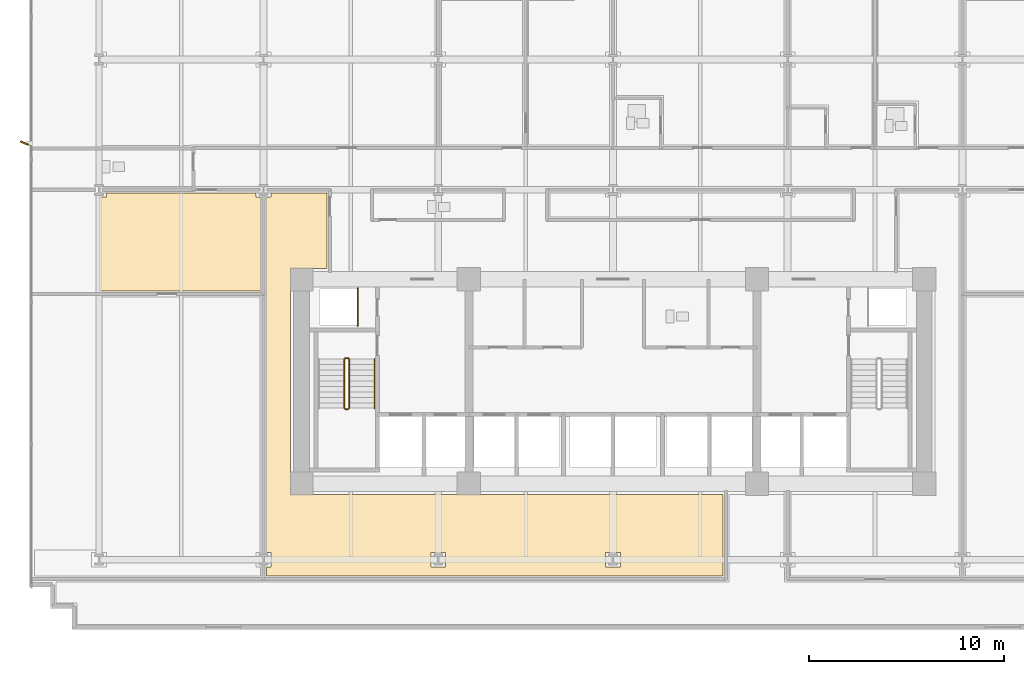
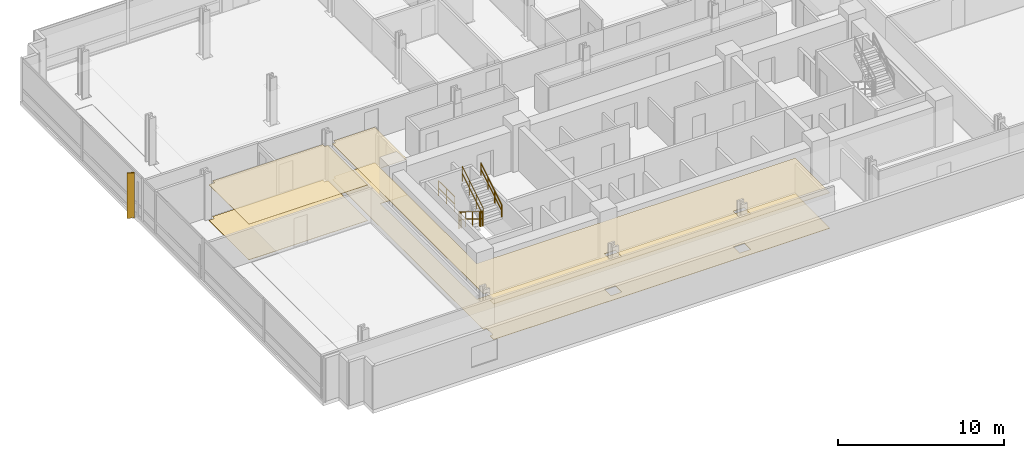
# One storey, part 13 of 17: 6 railings, 4 coverings, 1 shading device.
"""IFC4 building model written with IfcOpenShell, lengths in metres."""

from ifc_helpers import new_model, si_unit, direction, frame, origin, origin_2d, place, context, subcontext, project, spatial, polyline, rectangle, circle, outline, extrude, material, layer, layer_set, type_object, element, save


model = new_model("IFC4")

# Units and contexts
model_context = context("Model", 3, precision=1e-05, world=origin(), true_north=direction((0.0, 1.0)))
body_context = subcontext(model_context, "Body", "Model", "MODEL_VIEW")
ifc_project = project(units=[si_unit("LENGTHUNIT", "METRE"), si_unit("AREAUNIT", "SQUARE_METRE"), si_unit("VOLUMEUNIT", "CUBIC_METRE"), si_unit("PLANEANGLEUNIT", "RADIAN"), si_unit("MASSUNIT", "GRAM", prefix="KILO")], contexts=[model_context])

# Site, building, storey
site_placement = place(None, origin())
site = spatial("IfcSite", under=ifc_project, at=site_placement, CompositionType="ELEMENT")
building_placement = place(site_placement, origin())
building = spatial("IfcBuilding", under=site, at=building_placement, Name="Solmavex Isthmus Hotel", CompositionType="ELEMENT")
storey_placement = place(building_placement, frame((0.0, 0.0, 47.10009765625)))
storey = spatial("IfcBuildingStorey", under=building, at=storey_placement, Name="L12", CompositionType="ELEMENT", Elevation=47.10009765625)

# Coverings
ifc_material_1 = material(Name="Gypsum plasterboard lining", Category="gypsum")
ifc_layer_1 = layer(ifc_material_1, 0.030029296875)
ifc_layer_set_1 = layer_set([ifc_layer_1], Name="Gypsum plasterboard lining")
covering_type_1 = type_object("IfcCoveringType", Name="COV-CEIL-GYP", PredefinedType="CEILING", material=ifc_layer_set_1)
covering_1_placement = place(storey_placement, frame((0.0, 0.0, 2.619873046875)))
element("IfcCovering", 1, at=covering_1_placement, inside=storey, type_object=covering_type_1, Name="Suspended Acoustic Ceiling L12-FL11", PredefinedType="CEILING", context=body_context, shape_type="SweptSolid", body=[
    extrude(outline(polyline([(-26.02001953125, 1.945068359375), (-26.02001953125, 1.719970703125), (-26.39990234375, 1.719970703125), (-26.39990234375, -3.094970703125), (-18.10693359375, -3.094970703125), (-18.10693359375, 1.719970703125), (-18.33203125, 1.719970703125), (-18.33203125, 1.945068359375), (-26.02001953125, 1.945068359375)])), origin(), (0.0, 0.0, 1.0), 0.030029296875),
])
covering_2_placement = place(storey_placement, frame((0.0, 0.0, 2.619873046875)))
element("IfcCovering", 2, at=covering_2_placement, inside=storey, type_object=covering_type_1, Name="Suspended Acoustic Ceiling L12-FL14", PredefinedType="CEILING", context=body_context, shape_type="SweptSolid", body=[
    extrude(outline(polyline([(-17.797119140625, -16.52001953125), (-17.572021484375, -16.52001953125), (-17.572021484375, -17.280029296875), (-17.797119140625, -17.280029296875), (-17.797119140625, -17.7451171875), (5.64501953125, -17.7451171875), (5.64501953125, -13.554931640625), (-16.554931640625, -13.554931640625), (-16.554931640625, -1.945068359375), (-14.698974609375, -1.945068359375), (-14.698974609375, 1.945068359375), (-17.572021484375, 1.945068359375), (-17.572021484375, 1.719970703125), (-17.797119140625, 1.719970703125), (-17.797119140625, -16.52001953125)]), holes=[polyline([(-0.3798828125, -17.280029296875), (-0.3798828125, -16.52001953125), (0.3798828125, -16.52001953125), (0.3798828125, -17.280029296875), (-0.3798828125, -17.280029296875)]), polyline([(-9.35595703125, -17.280029296875), (-9.35595703125, -16.52001953125), (-8.595947265625, -16.52001953125), (-8.595947265625, -17.280029296875), (-9.35595703125, -17.280029296875)])]), origin(), (0.0, 0.0, 1.0), 0.030029296875),
])
ifc_material_2 = material(Name="Travertine natural stone", Category="masonry")
ifc_layer_2 = layer(ifc_material_2, 0.02490234375)
ifc_layer_set_2 = layer_set([ifc_layer_2], Name="Travertine natural stone")
covering_type_2 = type_object("IfcCoveringType", Name="COV-FLOR-STN", PredefinedType="FLOORING", material=ifc_layer_set_2)
covering_3_placement = place(storey_placement, origin())
element("IfcCovering", 3, at=covering_3_placement, inside=storey, type_object=covering_type_2, Name="Stone and Timber Floor Finish L12-FL11", PredefinedType="FLOORING", context=body_context, shape_type="SweptSolid", body=[
    extrude(outline(polyline([(-26.02001953125, 1.945068359375), (-26.02001953125, 1.719970703125), (-26.39990234375, 1.719970703125), (-26.39990234375, -3.094970703125), (-18.10693359375, -3.094970703125), (-18.10693359375, 1.719970703125), (-18.33203125, 1.719970703125), (-18.33203125, 1.945068359375), (-26.02001953125, 1.945068359375)])), origin(), (0.0, 0.0, 1.0), 0.02490234375),
])
covering_4_placement = place(storey_placement, origin())
element("IfcCovering", 4, at=covering_4_placement, inside=storey, type_object=covering_type_2, Name="Stone and Timber Floor Finish L12-FL14", PredefinedType="FLOORING", context=body_context, shape_type="SweptSolid", body=[
    extrude(outline(polyline([(-17.797119140625, -16.52001953125), (-17.572021484375, -16.52001953125), (-17.572021484375, -17.280029296875), (-17.797119140625, -17.280029296875), (-17.797119140625, -17.7451171875), (5.64501953125, -17.7451171875), (5.64501953125, -13.554931640625), (-16.554931640625, -13.554931640625), (-16.554931640625, -1.945068359375), (-14.698974609375, -1.945068359375), (-14.698974609375, 1.945068359375), (-17.572021484375, 1.945068359375), (-17.572021484375, 1.719970703125), (-17.797119140625, 1.719970703125), (-17.797119140625, -16.52001953125)]), holes=[polyline([(-0.3798828125, -17.280029296875), (-0.3798828125, -16.52001953125), (0.3798828125, -16.52001953125), (0.3798828125, -17.280029296875), (-0.3798828125, -17.280029296875)]), polyline([(-9.35595703125, -17.280029296875), (-9.35595703125, -16.52001953125), (-8.595947265625, -16.52001953125), (-8.595947265625, -17.280029296875), (-9.35595703125, -17.280029296875)])]), origin(), (0.0, 0.0, 1.0), 0.02490234375),
])

# Railings
ifc_material_3 = material(Name="Clear low-E laminated glass", Category="glass")
ifc_layer_3 = layer(ifc_material_3, 0.080078125)
ifc_layer_set_3 = layer_set([ifc_layer_3], Name="Clear low-E laminated glass")
railing_type_1 = type_object("IfcRailingType", Name="RAIL-ATRIUM-1120", PredefinedType="BALUSTRADE", material=ifc_layer_set_3)
railing_1_placement = place(storey_placement, frame((-13.10009765625, -4.89990234375, 0.0)))
element("IfcRailing", 5, at=railing_1_placement, inside=storey, type_object=railing_type_1, Name="Guardrail Balustrade L12-RSW-01", PredefinedType="BALUSTRADE", context=body_context, shape_type="SweptSolid", body=[
    extrude(circle(Radius=0.02392578125, at=origin_2d()), frame((0.0, 0.0, 1.1259765625), z_axis=(0.0, 1.0, 0.0), x_axis=(-1.0, 0.0, 0.0)), (0.0, 0.0, 1.0), 1.949951171875),
    extrude(circle(Radius=0.02392578125, at=origin_2d()), frame((0.0, 0.0, 0.574951171875), z_axis=(0.0, 1.0, 0.0), x_axis=(-1.0, 0.0, 0.0)), (0.0, 0.0, 1.0), 1.949951171875),
    extrude(circle(Radius=0.02099609375, at=origin_2d()), origin(), (0.0, 0.0, 1.0), 1.101806640625),
    extrude(circle(Radius=0.02099609375, at=origin_2d()), frame((0.0, 0.97509765625, 0.0)), (0.0, 0.0, 1.0), 1.101806640625),
    extrude(circle(Radius=0.02099609375, at=origin_2d()), frame((0.0, 1.949951171875, 0.0)), (0.0, 0.0, 1.0), 1.101806640625),
])
ifc_material_4 = material(Name="Stainless steel 316", Category="steel")
ifc_layer_4 = layer(ifc_material_4, 0.06005859375)
ifc_layer_set_4 = layer_set([ifc_layer_4], Name="Stainless steel 316")
railing_type_2 = type_object("IfcRailingType", Name="RAIL-STAIR-GD", PredefinedType="GUARDRAIL", material=ifc_layer_set_4)
railing_2_placement = place(storey_placement, frame((-13.800048828125, -6.60009765625, 0.17236328125)))
element("IfcRailing", 6, at=railing_2_placement, inside=storey, type_object=railing_type_2, Name="L12 ST-1 stair guard 1", PredefinedType="GUARDRAIL", context=body_context, shape_type="SweptSolid", body=[
    extrude(circle(Radius=0.02392578125, at=origin_2d()), frame((0.0, 0.0, 1.09619140625), z_axis=(0.0, -0.851400495292, 0.524516154772), x_axis=(1.0, 0.0, 0.0)), (0.0, 0.0, 1.0), 2.9599609375),
    extrude(circle(Radius=0.02392578125, at=origin_2d()), frame((0.0, 0.0, 0.56005859375), z_axis=(0.0, -0.851400495292, 0.524516154772), x_axis=(1.0, 0.0, 0.0)), (0.0, 0.0, 1.0), 2.9599609375),
    extrude(circle(Radius=0.02099609375, at=origin_2d()), origin(), (0.0, 0.0, 1.0), 1.072021484375),
    extrude(circle(Radius=0.02099609375, at=origin_2d()), frame((0.0, -0.840087890625, 0.517578125)), (0.0, 0.0, 1.0), 1.072021484375),
    extrude(circle(Radius=0.02099609375, at=origin_2d()), frame((0.0, -1.679931640625, 1.034912109375)), (0.0, 0.0, 1.0), 1.072021484375),
    extrude(circle(Radius=0.02099609375, at=origin_2d()), frame((0.0, -2.52001953125, 1.552490234375)), (0.0, 0.0, 1.0), 1.072021484375),
])
railing_3_placement = place(storey_placement, frame((-13.75, -9.169921875, 1.724853515625)))
element("IfcRailing", 7, at=railing_3_placement, inside=storey, type_object=railing_type_2, Name="L12 ST-1 stair guard 2", PredefinedType="GUARDRAIL", context=body_context, shape_type="SweptSolid", body=[
    extrude(circle(Radius=0.02392578125, at=origin_2d()), frame((0.0, 0.0, 1.09619140625), z_axis=(1.0, 0.0, 0.0), x_axis=(0.0, 1.0, 0.0)), (0.0, 0.0, 1.0), 0.14990234375),
    extrude(circle(Radius=0.02392578125, at=origin_2d()), frame((0.0, 0.0, 0.56005859375), z_axis=(1.0, 0.0, 0.0), x_axis=(0.0, 1.0, 0.0)), (0.0, 0.0, 1.0), 0.14990234375),
    extrude(circle(Radius=0.02099609375, at=origin_2d()), origin(), (0.0, 0.0, 1.0), 1.072021484375),
    extrude(circle(Radius=0.02099609375, at=origin_2d()), frame((0.14990234375, 0.0, 0.0)), (0.0, 0.0, 1.0), 1.072021484375),
])
railing_4_placement = place(storey_placement, frame((-13.550048828125, -9.1201171875, 1.8974609375)))
element("IfcRailing", 8, at=railing_4_placement, inside=storey, type_object=railing_type_2, Name="L12 ST-1 stair guard 3", PredefinedType="GUARDRAIL", context=body_context, shape_type="SweptSolid", body=[
    extrude(circle(Radius=0.02392578125, at=origin_2d()), frame((0.0, 0.0, 1.09619140625), z_axis=(0.0, 0.851400495292, 0.524516154772), x_axis=(-1.0, 0.0, 0.0)), (0.0, 0.0, 1.0), 2.9599609375),
    extrude(circle(Radius=0.02392578125, at=origin_2d()), frame((0.0, 0.0, 0.56005859375), z_axis=(0.0, 0.851400495292, 0.524516154772), x_axis=(-1.0, 0.0, 0.0)), (0.0, 0.0, 1.0), 2.9599609375),
    extrude(circle(Radius=0.02099609375, at=origin_2d()), origin(), (0.0, 0.0, 1.0), 1.072021484375),
    extrude(circle(Radius=0.02099609375, at=origin_2d()), frame((0.0, 0.840087890625, 0.517578125)), (0.0, 0.0, 1.0), 1.072021484375),
    extrude(circle(Radius=0.02099609375, at=origin_2d()), frame((0.0, 1.679931640625, 1.034912109375)), (0.0, 0.0, 1.0), 1.072021484375),
    extrude(circle(Radius=0.02099609375, at=origin_2d()), frame((0.0, 2.52001953125, 1.552490234375)), (0.0, 0.0, 1.0), 1.072021484375),
])
railing_5_placement = place(storey_placement, frame((-13.75, -6.550048828125, 0.0)))
element("IfcRailing", 9, at=railing_5_placement, inside=storey, type_object=railing_type_2, Name="L12 ST-1 stair guard 4", PredefinedType="GUARDRAIL", context=body_context, shape_type="SweptSolid", body=[
    extrude(circle(Radius=0.02392578125, at=origin_2d()), frame((0.0, 0.0, 1.09619140625), z_axis=(1.0, 0.0, 0.0), x_axis=(0.0, 1.0, 0.0)), (0.0, 0.0, 1.0), 0.14990234375),
    extrude(circle(Radius=0.02392578125, at=origin_2d()), frame((0.0, 0.0, 0.56005859375), z_axis=(1.0, 0.0, 0.0), x_axis=(0.0, 1.0, 0.0)), (0.0, 0.0, 1.0), 0.14990234375),
    extrude(circle(Radius=0.02099609375, at=origin_2d()), origin(), (0.0, 0.0, 1.0), 1.072021484375),
    extrude(circle(Radius=0.02099609375, at=origin_2d()), frame((0.14990234375, 0.0, 0.0)), (0.0, 0.0, 1.0), 1.072021484375),
])
ifc_layer_5 = layer(ifc_material_4, 0.050048828125)
ifc_layer_set_5 = layer_set([ifc_layer_5], Name="Stainless steel 316")
railing_type_3 = type_object("IfcRailingType", Name="RAIL-STAIR-HR", PredefinedType="HANDRAIL", material=ifc_layer_set_5)
railing_6_placement = place(storey_placement, frame((-12.25, -9.1201171875, 1.8974609375)))
element("IfcRailing", 10, at=railing_6_placement, inside=storey, type_object=railing_type_3, Name="L12 ST-1 stair handrail 2", PredefinedType="HANDRAIL", context=body_context, shape_type="SweptSolid", body=[
    extrude(circle(Radius=0.02392578125, at=origin_2d()), frame((0.0, 0.0, 0.8759765625), z_axis=(0.0, 0.851400495292, 0.524516154772), x_axis=(-1.0, 0.0, 0.0)), (0.0, 0.0, 1.0), 2.9599609375),
    extrude(circle(Radius=0.02392578125, at=origin_2d()), frame((0.0, 0.0, 0.449951171875), z_axis=(0.0, 0.851400495292, 0.524516154772), x_axis=(-1.0, 0.0, 0.0)), (0.0, 0.0, 1.0), 2.9599609375),
    extrude(circle(Radius=0.02099609375, at=origin_2d()), origin(), (0.0, 0.0, 1.0), 0.851806640625),
    extrude(circle(Radius=0.02099609375, at=origin_2d()), frame((0.0, 0.840087890625, 0.517578125)), (0.0, 0.0, 1.0), 0.851806640625),
    extrude(circle(Radius=0.02099609375, at=origin_2d()), frame((0.0, 1.679931640625, 1.034912109375)), (0.0, 0.0, 1.0), 0.851806640625),
    extrude(circle(Radius=0.02099609375, at=origin_2d()), frame((0.0, 2.52001953125, 1.552490234375)), (0.0, 0.0, 1.0), 0.851806640625),
])

# Shading device
ifc_material_5 = material(Name="Aluminium alloy 6063-T6", Category="aluminium")
shading_device_type = type_object("IfcShadingDeviceType", Name="SHD-FIN-BRONZE", PredefinedType="USERDEFINED", material=ifc_material_5)
shading_device_placement = place(storey_placement, frame((-30.239990234375, 4.5, -0.14013671875), z_axis=(0.0, 0.0, 1.0), x_axis=(-0.913545457643, 0.406736643076, 0.0)))
element("IfcShadingDevice", 11, at=shading_device_placement, inside=storey, type_object=shading_device_type, Name="Anodised Aluminium Solar Fin L12-W1", ObjectType="SOLAR_FIN", PredefinedType="USERDEFINED", context=body_context, shape_type="SweptSolid", body=[
    extrude(rectangle(XDim=0.449951171875, YDim=0.080078125, at=origin_2d()), origin(), (0.0, 0.0, 1.0), 3.330078125),
])

save(model, "model.ifc")
